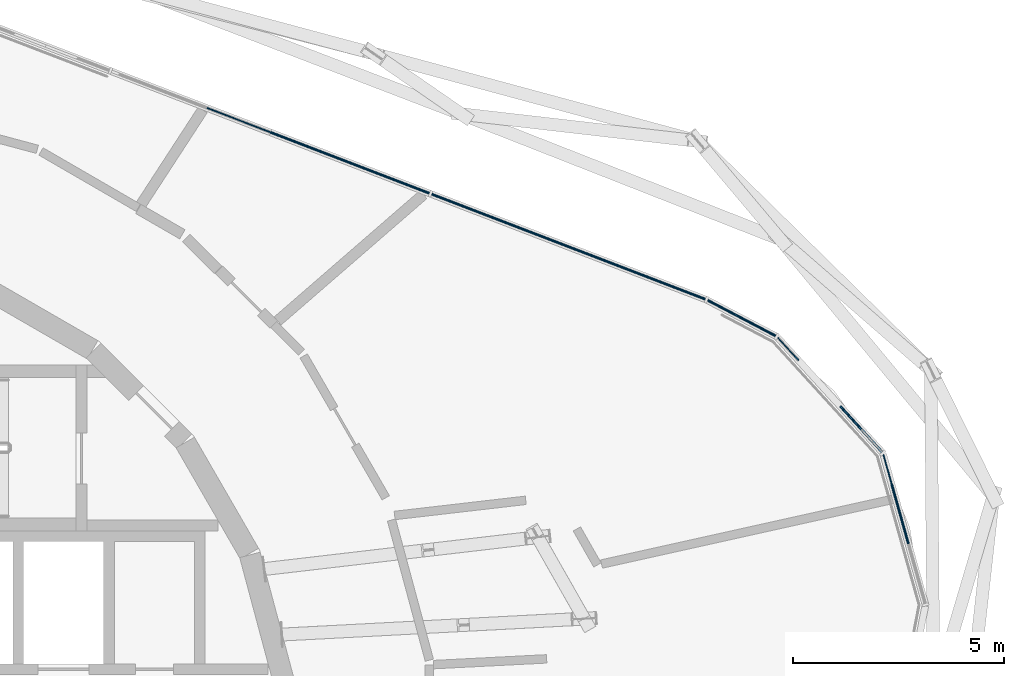
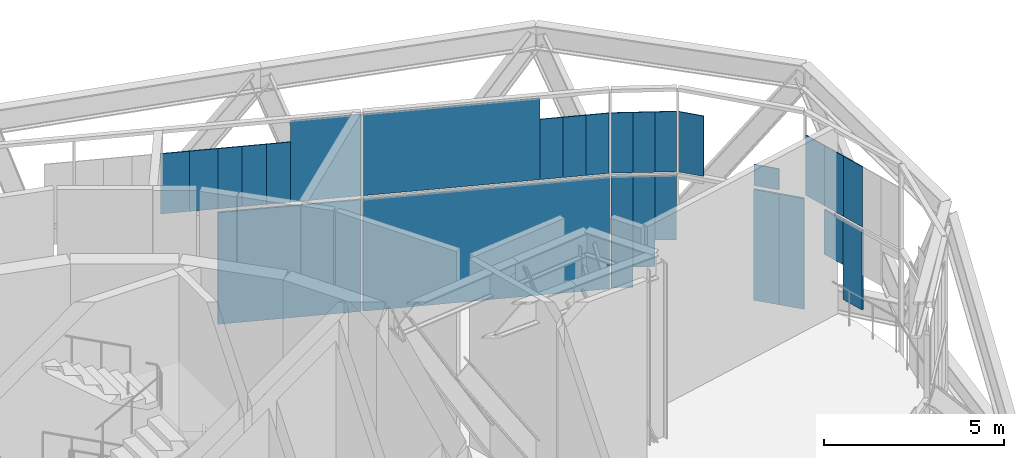
# One storey, part 16 of 25: 27 plates, 2 elements without a shape of their own.
"""IFC4 building model written with IfcOpenShell, lengths in metres."""

import ifcopenshell
import ifcopenshell.guid

model = None  # the IFC model being written
_history = None  # IfcOwnerHistory: only IFC2X3 demands one
_inside = {}  # id of a spatial element -> (the spatial element, [elements in it])
_under = {}  # id of a project, library or spatial element -> (it, [spatial elements below it])
_declared = {}  # id of a project -> (the project, [libraries it declares])
_typed = {}  # id of a type object -> (the type object, [elements of that type])
_made_of = {}  # id of a material, layer set ... -> (it, [elements and type objects made of it])


def new_model(schema):
    """Start an empty IFC model of exactly this schema.

    Asked for "IFC4X3", IfcOpenShell would pick the latest addendum, in which some entities
    have other attributes; the version numbers below select the first issue.
    IFC2X3 requires an IfcOwnerHistory on every rooted entity: one is made here for all.
    """
    global model, _history
    if schema == "IFC4X3":
        model = ifcopenshell.file(schema_version=(4, 3, 0, 0))
    else:
        model = ifcopenshell.file(schema=schema)
    _inside.clear()
    _under.clear()
    _declared.clear()
    _typed.clear()
    _made_of.clear()
    _history = None
    if model.schema == "IFC2X3":
        org = make("IfcOrganization", Name="unknown")
        user = make(
            "IfcPersonAndOrganization",
            ThePerson=make("IfcPerson", FamilyName="unknown"),
            TheOrganization=org,
        )
        app = make(
            "IfcApplication",
            ApplicationDeveloper=org,
            Version="unknown",
            ApplicationFullName="unknown",
            ApplicationIdentifier="unknown",
        )
        _history = make(
            "IfcOwnerHistory",
            OwningUser=user,
            OwningApplication=app,
            ChangeAction="ADDED",
            CreationDate=0,
        )
    return model


def make(cls, **values):
    """One entity of the class cls with the attributes given. An attribute that is None is left unset."""
    return model.create_entity(
        cls, **{name: value for name, value in values.items() if value is not None}
    )


def rooted(cls, **values):
    """An entity with a GlobalId (a new one), such as an element, a storey or a relation."""
    return make(cls, GlobalId=ifcopenshell.guid.new(), OwnerHistory=_history, **values)


def si_unit(unit_type, name, prefix=None):
    """IfcSIUnit, for example si_unit("LENGTHUNIT", "METRE", prefix="MILLI")."""
    return make("IfcSIUnit", UnitType=unit_type, Prefix=prefix, Name=name)


def assignment(units):
    """IfcUnitAssignment: the units of a project."""
    return None if units is None else make("IfcUnitAssignment", Units=units)


def point(xyz):
    """IfcCartesianPoint."""
    return None if xyz is None else make("IfcCartesianPoint", Coordinates=xyz)


def direction(xyz):
    """IfcDirection."""
    return None if xyz is None else make("IfcDirection", DirectionRatios=xyz)


def frame(location, z_axis=None, x_axis=None):
    """IfcAxis2Placement3D, a coordinate frame: its origin and axes. An axis left out is left unset."""
    return make(
        "IfcAxis2Placement3D",
        Location=point(location),
        Axis=direction(z_axis),
        RefDirection=direction(x_axis),
    )


def frame_2d(location, x_axis=None):
    """IfcAxis2Placement2D, a coordinate frame in the plane: its origin and x axis."""
    return make(
        "IfcAxis2Placement2D", Location=point(location), RefDirection=direction(x_axis)
    )


def origin():
    """The frame at (0, 0, 0) with its axes left unset."""
    return frame((0.0, 0.0, 0.0))


def origin_2d():
    """The frame at (0, 0) in the plane with its x axis left unset."""
    return frame_2d((0.0, 0.0))


def place(relative_to, where):
    """IfcLocalPlacement: puts the frame where relative to a parent placement (None: the world)."""
    return make(
        "IfcLocalPlacement", PlacementRelTo=relative_to, RelativePlacement=where
    )


def context(
    kind, dimensions, precision=None, world=None, true_north=None, identifier=None
):
    """IfcGeometricRepresentationContext, for example the 3D "Model" context."""
    return make(
        "IfcGeometricRepresentationContext",
        ContextIdentifier=identifier,
        ContextType=kind,
        CoordinateSpaceDimension=dimensions,
        Precision=precision,
        WorldCoordinateSystem=world,
        TrueNorth=true_north,
    )


def subcontext(parent, identifier, kind, view, scale=None):
    """IfcGeometricRepresentationSubContext, for example "Body" below "Model"."""
    return make(
        "IfcGeometricRepresentationSubContext",
        ContextIdentifier=identifier,
        ContextType=kind,
        ParentContext=parent,
        TargetScale=scale,
        TargetView=view,
    )


def project(units=None, contexts=None):
    """IfcProject with its units and contexts."""
    return rooted(
        "IfcProject",
        Name="project",
        RepresentationContexts=contexts,
        UnitsInContext=assignment(units),
    )


def spatial(cls, under=None, at=None, **own):
    """A site, building, storey or space (cls), placed at a placement, below another one or the project."""
    s = rooted(cls, ObjectPlacement=at, **own)
    if under is not None:
        _under.setdefault(under.id(), (under, []))[1].append(s)
    return s


def profile(cls, at=None, kind="AREA", **sizes):
    """A parametric profile (cls). Its sizes go by their IFC names, for example OverallWidth=200.0."""
    return make(cls, ProfileType=kind, Position=at, **sizes)


def rectangle(**sizes):
    """IfcRectangleProfileDef."""
    return profile("IfcRectangleProfileDef", **sizes)


def extrude(swept, where, along, depth):
    """IfcExtrudedAreaSolid: the profile swept, set in the frame where, extruded along a direction by depth."""
    return make(
        "IfcExtrudedAreaSolid",
        SweptArea=swept,
        Position=where,
        ExtrudedDirection=direction(along),
        Depth=depth,
    )


def shape(context_of_items, identifier, shape_type, items):
    """IfcShapeRepresentation: the items that make up one representation, for example the "Body"."""
    return make(
        "IfcShapeRepresentation",
        ContextOfItems=context_of_items,
        RepresentationIdentifier=identifier,
        RepresentationType=shape_type,
        Items=items,
    )


def material(Name=None, Category=None):
    """IfcMaterial."""
    return make("IfcMaterial", Name=Name, Category=Category)


def layer(
    of_material, thickness, ventilated=None, Name=None, Category=None, Priority=None
):
    """IfcMaterialLayer: one layer of a wall or slab, of a material (None: an air gap)."""
    return make(
        "IfcMaterialLayer",
        Material=of_material,
        LayerThickness=thickness,
        IsVentilated=ventilated,
        Name=Name,
        Category=Category,
        Priority=Priority,
    )


def layer_set(layers, Name=None):
    """IfcMaterialLayerSet."""
    return make("IfcMaterialLayerSet", MaterialLayers=layers, LayerSetName=Name)


def made_of(thing, what):
    """Note that an element or type object is made of a material, layer set ...; save() writes the relation."""
    if what is not None:
        _made_of.setdefault(what.id(), (what, []))[1].append(thing)
    return thing


def type_object(cls, material=None, **own):
    """A type object (cls), such as IfcWallType, which elements share."""
    return made_of(rooted(cls, **own), material)


def element(
    cls,
    number,
    at=None,
    inside=None,
    cuts=None,
    type_object=None,
    material=None,
    context=None,
    identifier="Body",
    shape_type=None,
    held_by="IfcProductDefinitionShape",
    body=None,
    shapes=None,
    **own,
):
    """One element of the class cls, such as IfcWall. Its Tag is "e" and its number.

    at: its placement. inside: the storey or other place that contains it. cuts: it is an
    opening in that element (IfcRelVoidsElement). A single representation is given by context,
    identifier, shape_type and body (its items); several are given by shapes. held_by: the class
    of the entity that holds the representations. save() writes the other relations.
    """
    e = rooted(cls, Tag="e%d" % number, ObjectPlacement=at, **own)
    if body is not None:
        shapes = [shape(context, identifier, shape_type, body)]
    if shapes is not None:
        e.Representation = make(held_by, Representations=shapes)
    if inside is not None:
        _inside.setdefault(inside.id(), (inside, []))[1].append(e)
    if cuts is not None:
        rooted(
            "IfcRelVoidsElement", RelatingBuildingElement=cuts, RelatedOpeningElement=e
        )
    if type_object is not None:
        _typed.setdefault(type_object.id(), (type_object, []))[1].append(e)
    return made_of(e, material)


def aggregate(whole, parts):
    """IfcRelAggregates: a whole, such as a stair, and the parts it consists of."""
    return rooted("IfcRelAggregates", RelatingObject=whole, RelatedObjects=parts)


def save(model, path):
    """Write the relations noted so far, then the file.

    IfcRelAggregates (storeys below a building ...), IfcRelContainedInSpatialStructure (elements
    in a storey), IfcRelDefinesByType, IfcRelAssociatesMaterial and IfcRelDeclares: one each for
    every whole, place, type object, material and project.
    """
    for whole, parts in _under.values():
        aggregate(whole, parts)
    for where, things in _inside.values():
        rooted(
            "IfcRelContainedInSpatialStructure",
            RelatedElements=things,
            RelatingStructure=where,
        )
    for kind, things in _typed.values():
        rooted("IfcRelDefinesByType", RelatedObjects=things, RelatingType=kind)
    for what, things in _made_of.values():
        rooted("IfcRelAssociatesMaterial", RelatedObjects=things, RelatingMaterial=what)
    for by, libraries in _declared.values():
        rooted("IfcRelDeclares", RelatingContext=by, RelatedDefinitions=libraries)
    model.write(path)


model = new_model("IFC4")

# Units and contexts
model_context = context("Model", 3, precision=1e-05, world=origin(), true_north=direction((0.0, 1.0)))
body_context = subcontext(model_context, "Body", "Model", "MODEL_VIEW")
ifc_project = project(units=[si_unit("LENGTHUNIT", "METRE"), si_unit("AREAUNIT", "SQUARE_METRE"), si_unit("VOLUMEUNIT", "CUBIC_METRE"), si_unit("PLANEANGLEUNIT", "RADIAN"), si_unit("MASSUNIT", "GRAM", prefix="KILO")], contexts=[model_context])

# Site, building, storey
site_placement = place(None, origin())
site = spatial("IfcSite", under=ifc_project, at=site_placement, CompositionType="ELEMENT")
building_placement = place(site_placement, origin())
building = spatial("IfcBuilding", under=site, at=building_placement, Name="Spindle Arch Residences", CompositionType="ELEMENT")
storey_placement = place(building_placement, frame((0.0, 0.0, 291.39990234375)))
storey = spatial("IfcBuildingStorey", under=building, at=storey_placement, Name="L75", CompositionType="ELEMENT", Elevation=291.39990234375)

# Curtain wall, plates
ifc_material_1 = material(Name="Aluminium bronze unitised frame with tinted glass", Category="aluminium")
ifc_layer_1 = layer(ifc_material_1, 0.159912109375)
ifc_layer_set_1 = layer_set([ifc_layer_1], Name="CW-E double-height winter garden wall")
curtain_wall_type = type_object("IfcCurtainWallType", Name="CW-E double-height winter garden wall", PredefinedType="NOTDEFINED", material=ifc_layer_set_1)
curtain_wall_1_placement = place(storey_placement, origin())
curtain_wall_1 = element("IfcCurtainWall", 1, at=curtain_wall_1_placement, inside=storey, type_object=curtain_wall_type, Name="CW-E L75 run 1", PredefinedType="NOTDEFINED")
ifc_material_2 = material(Name="Tinted laminated glass 28 mm", Category="glass")
ifc_layer_2 = layer(ifc_material_2, 0.028076171875)
ifc_layer_set_2 = layer_set([ifc_layer_2], Name="Tinted glass panel 28 mm")
plate_type_1 = type_object("IfcPlateType", Name="Tinted glass panel 28 mm", PredefinedType="CURTAIN_PANEL", material=ifc_layer_set_2)
plate_1_placement = place(storey_placement, frame((26.32958984375, 5.09423828125, 3.460205078125), z_axis=(0.0, 0.0, 1.0), x_axis=(-0.270040328007, 0.962849012696, 0.0)))
plate_1 = element("IfcPlate", 2, at=plate_1_placement, type_object=plate_type_1, Name="CW-E panel 03b.3", PredefinedType="CURTAIN_PANEL", context=body_context, shape_type="SweptSolid", body=[
    extrude(rectangle(XDim=0.7333984375, YDim=0.028076171875, at=origin_2d()), origin(), (0.0, 0.0, 1.0), 2.0458984375),
])
plate_2_placement = place(storey_placement, frame((26.13134765625, 5.80029296875, 3.460205078125), z_axis=(0.0, 0.0, 1.0), x_axis=(-0.270040328007, 0.962849012696, 0.0)))
plate_2 = element("IfcPlate", 3, at=plate_2_placement, type_object=plate_type_1, Name="CW-E panel 03b.4", PredefinedType="CURTAIN_PANEL", context=body_context, shape_type="SweptSolid", body=[
    extrude(rectangle(XDim=0.7333984375, YDim=0.028076171875, at=origin_2d()), origin(), (0.0, 0.0, 1.0), 2.0458984375),
])
plate_3_placement = place(storey_placement, frame((25.933349609375, 6.506591796875, 3.460205078125), z_axis=(0.0, 0.0, 1.0), x_axis=(-0.270040328007, 0.962849012696, 0.0)))
plate_3 = element("IfcPlate", 4, at=plate_3_placement, type_object=plate_type_1, Name="CW-E panel 03b.5", PredefinedType="CURTAIN_PANEL", context=body_context, shape_type="SweptSolid", body=[
    extrude(rectangle(XDim=0.7333984375, YDim=0.028076171875, at=origin_2d()), origin(), (0.0, 0.0, 1.0), 2.0458984375),
])
plate_4_placement = place(storey_placement, frame((25.065185546875, 7.723876953125, 3.460205078125), z_axis=(0.0, 0.0, 1.0), x_axis=(-0.673442702134, 0.73923942464, 0.0)))
plate_4 = element("IfcPlate", 5, at=plate_4_placement, type_object=plate_type_1, Name="CW-E panel 04b.2", PredefinedType="CURTAIN_PANEL", context=body_context, shape_type="SweptSolid", body=[
    extrude(rectangle(XDim=0.7333984375, YDim=0.028076171875, at=origin_2d()), origin(), (0.0, 0.0, 1.0), 0.7216796875),
])
plate_5_placement = place(storey_placement, frame((23.583740234375, 9.35009765625, 3.460205078125), z_axis=(0.0, 0.0, 1.0), x_axis=(-0.673442702134, 0.73923942464, 0.0)))
plate_5 = element("IfcPlate", 6, at=plate_5_placement, type_object=plate_type_1, Name="CW-E panel 04b.3", PredefinedType="CURTAIN_PANEL", context=body_context, shape_type="SweptSolid", body=[
    extrude(rectangle(XDim=0.7333984375, YDim=0.028076171875, at=origin_2d()), origin(), (0.0, 0.0, 1.0), 2.0458984375),
])
plate_6_placement = place(storey_placement, frame((23.02197265625, 9.7978515625, 3.460205078125), z_axis=(0.0, 0.0, 1.0), x_axis=(-0.885663912754, 0.464326860783, 0.0)))
plate_6 = element("IfcPlate", 7, at=plate_6_placement, type_object=plate_type_1, Name="CW-E panel 05b.1", PredefinedType="CURTAIN_PANEL", context=body_context, shape_type="SweptSolid", body=[
    extrude(rectangle(XDim=0.60546875, YDim=0.028076171875, at=origin_2d()), origin(), (0.0, 0.0, 1.0), 2.0458984375),
])
plate_7_placement = place(storey_placement, frame((22.48583984375, 10.078857421875, 3.460205078125), z_axis=(0.0, 0.0, 1.0), x_axis=(-0.885663912754, 0.464326860783, 0.0)))
plate_7 = element("IfcPlate", 8, at=plate_7_placement, type_object=plate_type_1, Name="CW-E panel 05b.2", PredefinedType="CURTAIN_PANEL", context=body_context, shape_type="SweptSolid", body=[
    extrude(rectangle(XDim=0.60546875, YDim=0.028076171875, at=origin_2d()), origin(), (0.0, 0.0, 1.0), 2.0458984375),
])
plate_8_placement = place(storey_placement, frame((21.94970703125, 10.360107421875, 3.460205078125), z_axis=(0.0, 0.0, 1.0), x_axis=(-0.885663912754, 0.464326860783, 0.0)))
plate_8 = element("IfcPlate", 9, at=plate_8_placement, type_object=plate_type_1, Name="CW-E panel 05b.3", PredefinedType="CURTAIN_PANEL", context=body_context, shape_type="SweptSolid", body=[
    extrude(rectangle(XDim=0.60546875, YDim=0.028076171875, at=origin_2d()), origin(), (0.0, 0.0, 1.0), 2.0458984375),
])
plate_9_placement = place(storey_placement, frame((21.32373046875, 10.6416015625, 3.460205078125), z_axis=(0.0, 0.0, 1.0), x_axis=(-0.933580426497, 0.358367949545, 0.0)))
plate_9 = element("IfcPlate", 10, at=plate_9_placement, type_object=plate_type_1, Name="CW-E panel 06b.1", PredefinedType="CURTAIN_PANEL", context=body_context, shape_type="SweptSolid", body=[
    extrude(rectangle(XDim=0.6494140625, YDim=0.028076171875, at=origin_2d()), origin(), (0.0, 0.0, 1.0), 2.0458984375),
])
plate_10_placement = place(storey_placement, frame((20.717529296875, 10.874267578125, 3.460205078125), z_axis=(0.0, 0.0, 1.0), x_axis=(-0.933580426497, 0.358367949545, 0.0)))
plate_10 = element("IfcPlate", 11, at=plate_10_placement, type_object=plate_type_1, Name="CW-E panel 06b.2", PredefinedType="CURTAIN_PANEL", context=body_context, shape_type="SweptSolid", body=[
    extrude(rectangle(XDim=0.6494140625, YDim=0.028076171875, at=origin_2d()), origin(), (0.0, 0.0, 1.0), 2.0458984375),
])
plate_11_placement = place(storey_placement, frame((20.111328125, 11.107177734375, 3.460205078125), z_axis=(0.0, 0.0, 1.0), x_axis=(-0.933580426497, 0.358367949545, 0.0)))
plate_11 = element("IfcPlate", 12, at=plate_11_placement, type_object=plate_type_1, Name="CW-E panel 06b.3", PredefinedType="CURTAIN_PANEL", context=body_context, shape_type="SweptSolid", body=[
    extrude(rectangle(XDim=0.6494140625, YDim=0.028076171875, at=origin_2d()), origin(), (0.0, 0.0, 1.0), 2.0458984375),
])
plate_12_placement = place(storey_placement, frame((17.48291015625, 12.115966796875, 3.460205078125), z_axis=(0.0, 0.0, 1.0), x_axis=(-0.933580426497, 0.358367949545, 0.0)))
plate_12 = element("IfcPlate", 13, at=plate_12_placement, type_object=plate_type_1, Name="CW-E panel 06b.4", PredefinedType="CURTAIN_PANEL", context=body_context, shape_type="SweptSolid", body=[
    extrude(rectangle(XDim=4.9814453125, YDim=0.028076171875, at=origin_2d()), origin(), (0.0, 0.0, 1.0), 2.77001953125),
])

curtain_wall_2_placement = place(storey_placement, origin())
curtain_wall_2 = element("IfcCurtainWall", 14, at=curtain_wall_2_placement, inside=storey, type_object=curtain_wall_type, Name="CW-E L75 run 2", PredefinedType="NOTDEFINED")
plate_13_placement = place(storey_placement, frame((14.1796875, 13.384033203125, 3.460205078125), z_axis=(0.0, 0.0, 1.0), x_axis=(-0.933580426497, 0.358367949545, 0.0)))
plate_13 = element("IfcPlate", 15, at=plate_13_placement, type_object=plate_type_1, Name="CW-E panel 05Ab.1", PredefinedType="CURTAIN_PANEL", context=body_context, shape_type="SweptSolid", body=[
    extrude(rectangle(XDim=1.974609375, YDim=0.028076171875, at=origin_2d()), origin(), (0.0, 0.0, 1.0), 2.77001953125),
])
plate_14_placement = place(storey_placement, frame((12.939208984375, 13.860107421875, 3.460205078125), z_axis=(0.0, 0.0, 1.0), x_axis=(-0.933580426497, 0.358367949545, 0.0)))
plate_14 = element("IfcPlate", 16, at=plate_14_placement, type_object=plate_type_1, Name="CW-E panel 05Ab.2", PredefinedType="CURTAIN_PANEL", context=body_context, shape_type="SweptSolid", body=[
    extrude(rectangle(XDim=0.68310546875, YDim=0.028076171875, at=origin_2d()), origin(), (0.0, 0.0, 1.0), 2.0458984375),
])
plate_15_placement = place(storey_placement, frame((12.301513671875, 14.10498046875, 3.460205078125), z_axis=(0.0, 0.0, 1.0), x_axis=(-0.933580426497, 0.358367949545, 0.0)))
plate_15 = element("IfcPlate", 17, at=plate_15_placement, type_object=plate_type_1, Name="CW-E panel 05Ab.3", PredefinedType="CURTAIN_PANEL", context=body_context, shape_type="SweptSolid", body=[
    extrude(rectangle(XDim=0.68310546875, YDim=0.028076171875, at=origin_2d()), origin(), (0.0, 0.0, 1.0), 2.0458984375),
])
plate_16_placement = place(storey_placement, frame((11.663818359375, 14.349853515625, 3.460205078125), z_axis=(0.0, 0.0, 1.0), x_axis=(-0.933580426497, 0.358367949545, 0.0)))
plate_16 = element("IfcPlate", 18, at=plate_16_placement, type_object=plate_type_1, Name="CW-E panel 05Ab.4", PredefinedType="CURTAIN_PANEL", context=body_context, shape_type="SweptSolid", body=[
    extrude(rectangle(XDim=0.68310546875, YDim=0.028076171875, at=origin_2d()), origin(), (0.0, 0.0, 1.0), 2.0458984375),
])
plate_17_placement = place(storey_placement, frame((10.96923828125, 14.616455078125, 3.460205078125), z_axis=(0.0, 0.0, 1.0), x_axis=(-0.933580426497, 0.358367949545, 0.0)))
plate_17 = element("IfcPlate", 19, at=plate_17_placement, type_object=plate_type_1, Name="CW-E panel 05Bb.1", PredefinedType="CURTAIN_PANEL", context=body_context, shape_type="SweptSolid", body=[
    extrude(rectangle(XDim=0.8046875, YDim=0.028076171875, at=origin_2d()), origin(), (0.0, 0.0, 1.0), 2.0458984375),
])
plate_18_placement = place(storey_placement, frame((10.218017578125, 14.90478515625, 3.460205078125), z_axis=(0.0, 0.0, 1.0), x_axis=(-0.933580426497, 0.358367949545, 0.0)))
plate_18 = element("IfcPlate", 20, at=plate_18_placement, type_object=plate_type_1, Name="CW-E panel 05Bb.2", PredefinedType="CURTAIN_PANEL", context=body_context, shape_type="SweptSolid", body=[
    extrude(rectangle(XDim=0.8046875, YDim=0.028076171875, at=origin_2d()), origin(), (0.0, 0.0, 1.0), 2.0458984375),
])

# Plate
ifc_material_3 = material(Name="Tinted double glazing over aluminium faced non-combustible spandrel zone (K0)", Category="aluminium")
ifc_layer_3 = layer(ifc_material_3, 0.06005859375)
ifc_layer_set_3 = layer_set([ifc_layer_3], Name="Unitised glass panel with E 60 spandrel zone")
plate_type_2 = type_object("IfcPlateType", Name="Unitised glass panel with E 60 spandrel zone", PredefinedType="CURTAIN_PANEL", material=ifc_layer_set_3)
plate_19_placement = place(storey_placement, frame((26.32958984375, 5.09423828125, 0.650390625), z_axis=(0.0, 0.0, 1.0), x_axis=(-0.270040328007, 0.962849012696, 0.0)))
plate_19 = element("IfcPlate", 21, at=plate_19_placement, type_object=plate_type_2, Name="CW-E panel 03a.3", PredefinedType="CURTAIN_PANEL", context=body_context, shape_type="SweptSolid", body=[
    extrude(rectangle(XDim=0.7333984375, YDim=0.06005859375, at=origin_2d()), origin(), (0.0, 0.0, 1.0), 2.689697265625),
])

plate_20_placement = place(storey_placement, frame((26.13134765625, 5.80029296875, 1.82958984375), z_axis=(0.0, 0.0, 1.0), x_axis=(-0.270040328007, 0.962849012696, 0.0)))
plate_20 = element("IfcPlate", 22, at=plate_20_placement, type_object=plate_type_2, Name="CW-E panel 03a.4", PredefinedType="CURTAIN_PANEL", context=body_context, shape_type="SweptSolid", body=[
    extrude(rectangle(XDim=0.7333984375, YDim=0.06005859375, at=origin_2d()), origin(), (0.0, 0.0, 1.0), 1.510498046875),
])

plate_21_placement = place(storey_placement, frame((25.55908203125, 7.181640625, -0.419921875), z_axis=(0.0, 0.0, 1.0), x_axis=(-0.673442702134, 0.73923942464, 0.0)))
plate_21 = element("IfcPlate", 23, at=plate_21_placement, type_object=plate_type_2, Name="CW-E panel 04a.1", PredefinedType="CURTAIN_PANEL", context=body_context, shape_type="SweptSolid", body=[
    extrude(rectangle(XDim=0.7333984375, YDim=0.06005859375, at=origin_2d()), origin(), (0.0, 0.0, 1.0), 3.760009765625),
])

plate_22_placement = place(storey_placement, frame((25.065185546875, 7.723876953125, -0.419921875), z_axis=(0.0, 0.0, 1.0), x_axis=(-0.673442702134, 0.73923942464, 0.0)))
plate_22 = element("IfcPlate", 24, at=plate_22_placement, type_object=plate_type_2, Name="CW-E panel 04a.2", PredefinedType="CURTAIN_PANEL", context=body_context, shape_type="SweptSolid", body=[
    extrude(rectangle(XDim=0.7333984375, YDim=0.06005859375, at=origin_2d()), origin(), (0.0, 0.0, 1.0), 3.760009765625),
])

plate_23_placement = place(storey_placement, frame((23.02197265625, 9.7978515625, 1.162109375), z_axis=(0.0, 0.0, 1.0), x_axis=(-0.885663912754, 0.464326860783, 0.0)))
plate_23 = element("IfcPlate", 25, at=plate_23_placement, type_object=plate_type_2, Name="CW-E panel 05a.1", PredefinedType="CURTAIN_PANEL", context=body_context, shape_type="SweptSolid", body=[
    extrude(rectangle(XDim=0.60546875, YDim=0.06005859375, at=origin_2d()), origin(), (0.0, 0.0, 1.0), 2.177978515625),
])

plate_24_placement = place(storey_placement, frame((22.48583984375, 10.078857421875, 0.265869140625), z_axis=(0.0, 0.0, 1.0), x_axis=(-0.885663912754, 0.464326860783, 0.0)))
plate_24 = element("IfcPlate", 26, at=plate_24_placement, type_object=plate_type_2, Name="CW-E panel 05a.2", PredefinedType="CURTAIN_PANEL", context=body_context, shape_type="SweptSolid", body=[
    extrude(rectangle(XDim=0.60546875, YDim=0.06005859375, at=origin_2d()), origin(), (0.0, 0.0, 1.0), 3.07421875),
])

plate_25_placement = place(storey_placement, frame((21.94970703125, 10.360107421875, -0.419921875), z_axis=(0.0, 0.0, 1.0), x_axis=(-0.885663912754, 0.464326860783, 0.0)))
plate_25 = element("IfcPlate", 27, at=plate_25_placement, type_object=plate_type_2, Name="CW-E panel 05a.3", PredefinedType="CURTAIN_PANEL", context=body_context, shape_type="SweptSolid", body=[
    extrude(rectangle(XDim=0.60546875, YDim=0.06005859375, at=origin_2d()), origin(), (0.0, 0.0, 1.0), 3.760009765625),
])

plate_26_placement = place(storey_placement, frame((18.392333984375, 11.76708984375, -0.449951171875), z_axis=(0.0, 0.0, 1.0), x_axis=(-0.933580426497, 0.358367949545, 0.0)))
plate_26 = element("IfcPlate", 28, at=plate_26_placement, type_object=plate_type_2, Name="CW-E unit 06a", PredefinedType="CURTAIN_PANEL", context=body_context, shape_type="SweptSolid", body=[
    extrude(rectangle(XDim=6.9296875, YDim=0.06005859375, at=origin_2d()), origin(), (0.0, 0.0, 1.0), 3.7900390625),
])

aggregate(curtain_wall_1, [plate_19, plate_20, plate_1, plate_2, plate_3, plate_21, plate_22, plate_4, plate_5, plate_23, plate_24, plate_25, plate_6, plate_7, plate_8, plate_26, plate_9, plate_10, plate_11, plate_12])

plate_27_placement = place(storey_placement, frame((13.22314453125, 13.751220703125, -0.449951171875), z_axis=(0.0, 0.0, 1.0), x_axis=(-0.933580426497, 0.358367949545, 0.0)))
plate_27 = element("IfcPlate", 29, at=plate_27_placement, type_object=plate_type_2, Name="CW-E unit 05Aa", PredefinedType="CURTAIN_PANEL", context=body_context, shape_type="SweptSolid", body=[
    extrude(rectangle(XDim=4.023681640625, YDim=0.06005859375, at=origin_2d()), origin(), (0.0, 0.0, 1.0), 3.7900390625),
])

aggregate(curtain_wall_2, [plate_27, plate_13, plate_14, plate_15, plate_16, plate_17, plate_18])

save(model, "model.ifc")
